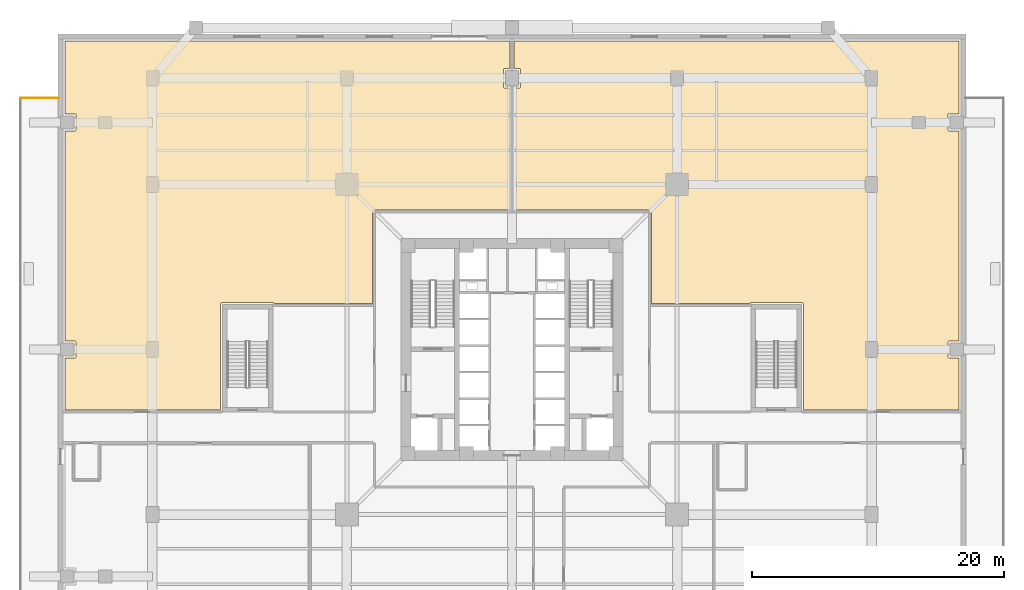
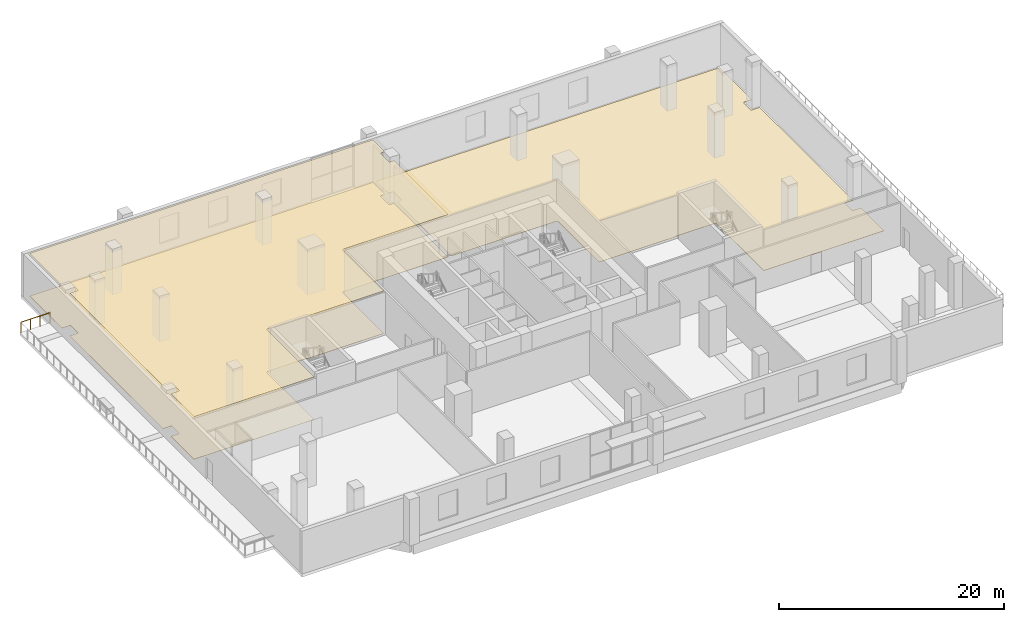
# One storey, part 14 of 15: 3 coverings, 1 railing.
"""IFC4 building model written with IfcOpenShell, lengths in metres."""

from ifc_helpers import new_model, si_unit, direction, frame, origin, origin_2d, place, context, subcontext, project, spatial, polyline, circle, outline, extrude, source, transform, mapped, material, layer, layer_set, type_object, element, save


model = new_model("IFC4")

# Units and contexts
model_context = context("Model", 3, precision=1e-05, world=origin(), true_north=direction((0.0, 1.0)))
body_context = subcontext(model_context, "Body", "Model", "MODEL_VIEW")
ifc_project = project(units=[si_unit("LENGTHUNIT", "METRE"), si_unit("AREAUNIT", "SQUARE_METRE"), si_unit("VOLUMEUNIT", "CUBIC_METRE"), si_unit("PLANEANGLEUNIT", "RADIAN"), si_unit("MASSUNIT", "GRAM", prefix="KILO"), si_unit("THERMODYNAMICTEMPERATUREUNIT", "KELVIN")], contexts=[model_context])

# Site, building, storey
site_placement = place(None, origin())
site = spatial("IfcSite", under=ifc_project, at=site_placement, CompositionType="ELEMENT")
building_placement = place(site_placement, origin())
building = spatial("IfcBuilding", under=site, at=building_placement, Name="Kosmvard Interchange Tower", CompositionType="ELEMENT")
storey_placement = place(building_placement, frame((0.0, 0.0, 11.0)))
storey = spatial("IfcBuildingStorey", under=building, at=storey_placement, Name="L02", CompositionType="ELEMENT", Elevation=11.0)

# Coverings
ifc_material_1 = material(Name="Acoustic gypsum ceiling tile")
ifc_layer_1 = layer(ifc_material_1, 0.02490234375, Name="Acoustic gypsum ceiling tile")
ifc_layer_set_1 = layer_set([ifc_layer_1], Name="Acoustic gypsum ceiling tile")
covering_type_1 = type_object("IfcCoveringType", Name="Acoustic Perforated Suspended Ceiling 25", PredefinedType="CEILING", material=ifc_layer_set_1)
covering_1_placement = place(storey_placement, frame((0.0, 0.0, 4.635009765625)))
element("IfcCovering", 1, at=covering_1_placement, inside=storey, type_object=covering_type_1, Name="L02 Acoustic Ceiling L02-RTLW", PredefinedType="CEILING", context=body_context, shape_type="SweptSolid", body=[
    extrude(outline(polyline([(-23.07470703125, 3.636474609375), (-23.071044921875, 3.642822265625), (-23.066650390625, 3.6494140625), (-23.062255859375, 3.6552734375), (-23.05712890625, 3.661376953125), (-23.05224609375, 3.666748046875), (-23.046875, 3.67236328125), (-23.041259765625, 3.67724609375), (-23.03515625, 3.68212890625), (-23.029296875, 3.6865234375), (-23.022705078125, 3.69091796875), (-23.016357421875, 3.69482421875), (-23.009521484375, 3.698486328125), (-23.0029296875, 3.70166015625), (-22.99560546875, 3.70458984375), (-22.98876953125, 3.70703125), (-22.981201171875, 3.70947265625), (-22.97412109375, 3.711181640625), (-22.96630859375, 3.712646484375), (-22.958984375, 3.7138671875), (-22.951171875, 3.714599609375), (-22.94384765625, 3.71484375), (-22.93994140625, 3.715087890625), (-18.9599609375, 3.715087890625), (-18.9560546875, 3.71484375), (-18.94873046875, 3.714599609375), (-18.94091796875, 3.7138671875), (-18.93359375, 3.712646484375), (-18.926025390625, 3.711181640625), (-18.918701171875, 3.70947265625), (-18.911376953125, 3.70703125), (-18.904296875, 3.70458984375), (-18.89697265625, 3.70166015625), (-18.890380859375, 3.698486328125), (-18.883544921875, 3.69482421875), (-18.877197265625, 3.69091796875), (-18.87060546875, 3.6865234375), (-18.86474609375, 3.68212890625), (-18.858642578125, 3.67724609375), (-18.853271484375, 3.67236328125), (-18.84765625, 3.666748046875), (-18.8427734375, 3.661376953125), (-18.841796875, 3.659912109375), (-11.054931640625, 3.659912109375), (-11.054931640625, 10.89990234375), (-11.054931640625, 10.90380859375), (-11.054443359375, 10.911376953125), (-11.0537109375, 10.919189453125), (-11.052734375, 10.92626953125), (-11.05126953125, 10.93408203125), (-11.04931640625, 10.941162109375), (-11.047119140625, 10.94873046875), (-11.044677734375, 10.95556640625), (-11.04150390625, 10.962890625), (-11.038330078125, 10.969482421875), (-11.034912109375, 10.976318359375), (-11.031005859375, 10.982666015625), (-11.026611328125, 10.9892578125), (-11.022216796875, 10.9951171875), (-11.01708984375, 11.00146484375), (-11.01220703125, 11.0068359375), (-11.0068359375, 11.01220703125), (-11.00146484375, 11.01708984375), (-10.9951171875, 11.022216796875), (-10.9892578125, 11.026611328125), (-10.982666015625, 11.031005859375), (-10.976318359375, 11.034912109375), (-10.969482421875, 11.038330078125), (-10.962890625, 11.04150390625), (-10.95556640625, 11.044677734375), (-10.94873046875, 11.047119140625), (-10.941162109375, 11.04931640625), (-10.93408203125, 11.05126953125), (-10.92626953125, 11.052734375), (-10.919189453125, 11.0537109375), (-10.911376953125, 11.054443359375), (-10.90380859375, 11.054931640625), (-10.89990234375, 11.054931640625), (-0.159912109375, 11.054931640625), (-0.159912109375, 20.715087890625), (-0.580078125, 20.715087890625), (-0.587890625, 20.71533203125), (-0.595703125, 20.716552734375), (-0.603271484375, 20.718505859375), (-0.610595703125, 20.72119140625), (-0.61767578125, 20.724365234375), (-0.62451171875, 20.728515625), (-0.630859375, 20.733154296875), (-0.636474609375, 20.738525390625), (-0.641845703125, 20.744140625), (-0.646484375, 20.75048828125), (-0.650634765625, 20.75732421875), (-0.65380859375, 20.764404296875), (-0.656494140625, 20.771728515625), (-0.658447265625, 20.779296875), (-0.65966796875, 20.787109375), (-0.659912109375, 20.794921875), (-0.659912109375, 22.205078125), (-0.65966796875, 22.212890625), (-0.658447265625, 22.220703125), (-0.656494140625, 22.228271484375), (-0.65380859375, 22.235595703125), (-0.650634765625, 22.24267578125), (-0.646484375, 22.24951171875), (-0.641845703125, 22.255859375), (-0.636474609375, 22.261474609375), (-0.630859375, 22.266845703125), (-0.62451171875, 22.271484375), (-0.61767578125, 22.275634765625), (-0.610595703125, 22.27880859375), (-0.603271484375, 22.281494140625), (-0.595703125, 22.283447265625), (-0.587890625, 22.28466796875), (-0.580078125, 22.284912109375), (-0.159912109375, 22.284912109375), (-0.159912109375, 24.445068359375), (-35.445068359375, 24.445068359375), (-35.445068359375, 18.68505859375), (-34.64501953125, 18.68505859375), (-34.63720703125, 18.6845703125), (-34.62939453125, 18.683349609375), (-34.621826171875, 18.681640625), (-34.614501953125, 18.678955078125), (-34.607177734375, 18.675537109375), (-34.6005859375, 18.671630859375), (-34.59423828125, 18.666748046875), (-34.58837890625, 18.66162109375), (-34.583251953125, 18.65576171875), (-34.578369140625, 18.6494140625), (-34.574462890625, 18.642822265625), (-34.571044921875, 18.635498046875), (-34.568359375, 18.628173828125), (-34.566650390625, 18.62060546875), (-34.5654296875, 18.61279296875), (-34.56494140625, 18.60498046875), (-34.56494140625, 17.39501953125), (-34.5654296875, 17.38720703125), (-34.566650390625, 17.37939453125), (-34.568359375, 17.371826171875), (-34.571044921875, 17.364501953125), (-34.574462890625, 17.357177734375), (-34.578369140625, 17.3505859375), (-34.583251953125, 17.34423828125), (-34.58837890625, 17.33837890625), (-34.59423828125, 17.333251953125), (-34.6005859375, 17.328369140625), (-34.607177734375, 17.324462890625), (-34.614501953125, 17.321044921875), (-34.621826171875, 17.318359375), (-34.62939453125, 17.316650390625), (-34.63720703125, 17.3154296875), (-34.64501953125, 17.31494140625), (-35.445068359375, 17.31494140625), (-35.445068359375, 0.68505859375), (-34.64501953125, 0.68505859375), (-34.63720703125, 0.6845703125), (-34.62939453125, 0.683349609375), (-34.621826171875, 0.681640625), (-34.614501953125, 0.678955078125), (-34.607177734375, 0.675537109375), (-34.6005859375, 0.671630859375), (-34.59423828125, 0.666748046875), (-34.58837890625, 0.66162109375), (-34.583251953125, 0.65576171875), (-34.578369140625, 0.6494140625), (-34.574462890625, 0.642822265625), (-34.571044921875, 0.635498046875), (-34.568359375, 0.628173828125), (-34.566650390625, 0.62060546875), (-34.5654296875, 0.61279296875), (-34.56494140625, 0.60498046875), (-34.56494140625, -0.60498046875), (-34.5654296875, -0.61279296875), (-34.566650390625, -0.62060546875), (-34.568359375, -0.628173828125), (-34.571044921875, -0.635498046875), (-34.574462890625, -0.642822265625), (-34.578369140625, -0.6494140625), (-34.583251953125, -0.65576171875), (-34.58837890625, -0.66162109375), (-34.59423828125, -0.666748046875), (-34.6005859375, -0.671630859375), (-34.607177734375, -0.675537109375), (-34.614501953125, -0.678955078125), (-34.621826171875, -0.681640625), (-34.62939453125, -0.683349609375), (-34.63720703125, -0.6845703125), (-34.64501953125, -0.68505859375), (-35.445068359375, -0.68505859375), (-35.445068359375, -4.804931640625), (-23.094970703125, -4.804931640625), (-23.094970703125, 3.56005859375), (-23.094970703125, 3.56396484375), (-23.094482421875, 3.5712890625), (-23.09375, 3.5791015625), (-23.0927734375, 3.58642578125), (-23.091064453125, 3.593994140625), (-23.08935546875, 3.601318359375), (-23.087158203125, 3.608642578125), (-23.084716796875, 3.61572265625), (-23.08154296875, 3.623046875), (-23.078369140625, 3.629638671875), (-23.07470703125, 3.636474609375)])), origin(), (0.0, 0.0, 1.0), 0.02490234375),
])
ifc_material_2 = material(Name="Polished terrazzo flooring")
ifc_layer_2 = layer(ifc_material_2, 0.030029296875, Name="Polished terrazzo flooring")
ifc_layer_set_2 = layer_set([ifc_layer_2], Name="Polished terrazzo flooring")
covering_type_2 = type_object("IfcCoveringType", Name="Heavy-Duty Terrazzo & Porcelain Flooring 30", PredefinedType="FLOORING", material=ifc_layer_set_2)
covering_2_placement = place(storey_placement, origin())
element("IfcCovering", 2, at=covering_2_placement, inside=storey, type_object=covering_type_2, Name="L02 Floor Finish L02-RTLW", PredefinedType="FLOORING", context=body_context, shape_type="SweptSolid", body=[
    extrude(outline(polyline([(-23.07470703125, 3.636474609375), (-23.071044921875, 3.642822265625), (-23.066650390625, 3.6494140625), (-23.062255859375, 3.6552734375), (-23.05712890625, 3.661376953125), (-23.05224609375, 3.666748046875), (-23.046875, 3.67236328125), (-23.041259765625, 3.67724609375), (-23.03515625, 3.68212890625), (-23.029296875, 3.6865234375), (-23.022705078125, 3.69091796875), (-23.016357421875, 3.69482421875), (-23.009521484375, 3.698486328125), (-23.0029296875, 3.70166015625), (-22.99560546875, 3.70458984375), (-22.98876953125, 3.70703125), (-22.981201171875, 3.70947265625), (-22.97412109375, 3.711181640625), (-22.96630859375, 3.712646484375), (-22.958984375, 3.7138671875), (-22.951171875, 3.714599609375), (-22.94384765625, 3.71484375), (-22.93994140625, 3.715087890625), (-18.9599609375, 3.715087890625), (-18.9560546875, 3.71484375), (-18.94873046875, 3.714599609375), (-18.94091796875, 3.7138671875), (-18.93359375, 3.712646484375), (-18.926025390625, 3.711181640625), (-18.918701171875, 3.70947265625), (-18.911376953125, 3.70703125), (-18.904296875, 3.70458984375), (-18.89697265625, 3.70166015625), (-18.890380859375, 3.698486328125), (-18.883544921875, 3.69482421875), (-18.877197265625, 3.69091796875), (-18.87060546875, 3.6865234375), (-18.86474609375, 3.68212890625), (-18.858642578125, 3.67724609375), (-18.853271484375, 3.67236328125), (-18.84765625, 3.666748046875), (-18.8427734375, 3.661376953125), (-18.841796875, 3.659912109375), (-11.054931640625, 3.659912109375), (-11.054931640625, 10.89990234375), (-11.054931640625, 10.90380859375), (-11.054443359375, 10.911376953125), (-11.0537109375, 10.919189453125), (-11.052734375, 10.92626953125), (-11.05126953125, 10.93408203125), (-11.04931640625, 10.941162109375), (-11.047119140625, 10.94873046875), (-11.044677734375, 10.95556640625), (-11.04150390625, 10.962890625), (-11.038330078125, 10.969482421875), (-11.034912109375, 10.976318359375), (-11.031005859375, 10.982666015625), (-11.026611328125, 10.9892578125), (-11.022216796875, 10.9951171875), (-11.01708984375, 11.00146484375), (-11.01220703125, 11.0068359375), (-11.0068359375, 11.01220703125), (-11.00146484375, 11.01708984375), (-10.9951171875, 11.022216796875), (-10.9892578125, 11.026611328125), (-10.982666015625, 11.031005859375), (-10.976318359375, 11.034912109375), (-10.969482421875, 11.038330078125), (-10.962890625, 11.04150390625), (-10.95556640625, 11.044677734375), (-10.94873046875, 11.047119140625), (-10.941162109375, 11.04931640625), (-10.93408203125, 11.05126953125), (-10.92626953125, 11.052734375), (-10.919189453125, 11.0537109375), (-10.911376953125, 11.054443359375), (-10.90380859375, 11.054931640625), (-10.89990234375, 11.054931640625), (-0.159912109375, 11.054931640625), (-0.159912109375, 20.715087890625), (-0.580078125, 20.715087890625), (-0.587890625, 20.71533203125), (-0.595703125, 20.716552734375), (-0.603271484375, 20.718505859375), (-0.610595703125, 20.72119140625), (-0.61767578125, 20.724365234375), (-0.62451171875, 20.728515625), (-0.630859375, 20.733154296875), (-0.636474609375, 20.738525390625), (-0.641845703125, 20.744140625), (-0.646484375, 20.75048828125), (-0.650634765625, 20.75732421875), (-0.65380859375, 20.764404296875), (-0.656494140625, 20.771728515625), (-0.658447265625, 20.779296875), (-0.65966796875, 20.787109375), (-0.659912109375, 20.794921875), (-0.659912109375, 22.205078125), (-0.65966796875, 22.212890625), (-0.658447265625, 22.220703125), (-0.656494140625, 22.228271484375), (-0.65380859375, 22.235595703125), (-0.650634765625, 22.24267578125), (-0.646484375, 22.24951171875), (-0.641845703125, 22.255859375), (-0.636474609375, 22.261474609375), (-0.630859375, 22.266845703125), (-0.62451171875, 22.271484375), (-0.61767578125, 22.275634765625), (-0.610595703125, 22.27880859375), (-0.603271484375, 22.281494140625), (-0.595703125, 22.283447265625), (-0.587890625, 22.28466796875), (-0.580078125, 22.284912109375), (-0.159912109375, 22.284912109375), (-0.159912109375, 24.445068359375), (-35.445068359375, 24.445068359375), (-35.445068359375, 18.68505859375), (-34.64501953125, 18.68505859375), (-34.63720703125, 18.6845703125), (-34.62939453125, 18.683349609375), (-34.621826171875, 18.681640625), (-34.614501953125, 18.678955078125), (-34.607177734375, 18.675537109375), (-34.6005859375, 18.671630859375), (-34.59423828125, 18.666748046875), (-34.58837890625, 18.66162109375), (-34.583251953125, 18.65576171875), (-34.578369140625, 18.6494140625), (-34.574462890625, 18.642822265625), (-34.571044921875, 18.635498046875), (-34.568359375, 18.628173828125), (-34.566650390625, 18.62060546875), (-34.5654296875, 18.61279296875), (-34.56494140625, 18.60498046875), (-34.56494140625, 17.39501953125), (-34.5654296875, 17.38720703125), (-34.566650390625, 17.37939453125), (-34.568359375, 17.371826171875), (-34.571044921875, 17.364501953125), (-34.574462890625, 17.357177734375), (-34.578369140625, 17.3505859375), (-34.583251953125, 17.34423828125), (-34.58837890625, 17.33837890625), (-34.59423828125, 17.333251953125), (-34.6005859375, 17.328369140625), (-34.607177734375, 17.324462890625), (-34.614501953125, 17.321044921875), (-34.621826171875, 17.318359375), (-34.62939453125, 17.316650390625), (-34.63720703125, 17.3154296875), (-34.64501953125, 17.31494140625), (-35.445068359375, 17.31494140625), (-35.445068359375, 0.68505859375), (-34.64501953125, 0.68505859375), (-34.63720703125, 0.6845703125), (-34.62939453125, 0.683349609375), (-34.621826171875, 0.681640625), (-34.614501953125, 0.678955078125), (-34.607177734375, 0.675537109375), (-34.6005859375, 0.671630859375), (-34.59423828125, 0.666748046875), (-34.58837890625, 0.66162109375), (-34.583251953125, 0.65576171875), (-34.578369140625, 0.6494140625), (-34.574462890625, 0.642822265625), (-34.571044921875, 0.635498046875), (-34.568359375, 0.628173828125), (-34.566650390625, 0.62060546875), (-34.5654296875, 0.61279296875), (-34.56494140625, 0.60498046875), (-34.56494140625, -0.60498046875), (-34.5654296875, -0.61279296875), (-34.566650390625, -0.62060546875), (-34.568359375, -0.628173828125), (-34.571044921875, -0.635498046875), (-34.574462890625, -0.642822265625), (-34.578369140625, -0.6494140625), (-34.583251953125, -0.65576171875), (-34.58837890625, -0.66162109375), (-34.59423828125, -0.666748046875), (-34.6005859375, -0.671630859375), (-34.607177734375, -0.675537109375), (-34.614501953125, -0.678955078125), (-34.621826171875, -0.681640625), (-34.62939453125, -0.683349609375), (-34.63720703125, -0.6845703125), (-34.64501953125, -0.68505859375), (-35.445068359375, -0.68505859375), (-35.445068359375, -4.804931640625), (-23.094970703125, -4.804931640625), (-23.094970703125, 3.56005859375), (-23.094970703125, 3.56396484375), (-23.094482421875, 3.5712890625), (-23.09375, 3.5791015625), (-23.0927734375, 3.58642578125), (-23.091064453125, 3.593994140625), (-23.08935546875, 3.601318359375), (-23.087158203125, 3.608642578125), (-23.084716796875, 3.61572265625), (-23.08154296875, 3.623046875), (-23.078369140625, 3.629638671875), (-23.07470703125, 3.636474609375)])), origin(), (0.0, 0.0, 1.0), 0.030029296875),
])
covering_3_placement = place(storey_placement, origin())
element("IfcCovering", 3, at=covering_3_placement, inside=storey, type_object=covering_type_2, Name="L02 Floor Finish L02-LNGP", PredefinedType="FLOORING", context=body_context, shape_type="SweptSolid", body=[
    extrude(outline(polyline([(18.841796875, 3.659912109375), (18.8427734375, 3.661376953125), (18.84765625, 3.666748046875), (18.853271484375, 3.67236328125), (18.858642578125, 3.67724609375), (18.86474609375, 3.68212890625), (18.87060546875, 3.6865234375), (18.877197265625, 3.69091796875), (18.883544921875, 3.69482421875), (18.890380859375, 3.698486328125), (18.89697265625, 3.70166015625), (18.904296875, 3.70458984375), (18.911376953125, 3.70703125), (18.918701171875, 3.70947265625), (18.926025390625, 3.711181640625), (18.93359375, 3.712646484375), (18.94091796875, 3.7138671875), (18.94873046875, 3.714599609375), (18.9560546875, 3.71484375), (18.9599609375, 3.715087890625), (22.93994140625, 3.715087890625), (22.94384765625, 3.71484375), (22.951171875, 3.714599609375), (22.958984375, 3.7138671875), (22.96630859375, 3.712646484375), (22.97412109375, 3.711181640625), (22.981201171875, 3.70947265625), (22.98876953125, 3.70703125), (22.99560546875, 3.70458984375), (23.0029296875, 3.70166015625), (23.009521484375, 3.698486328125), (23.016357421875, 3.69482421875), (23.022705078125, 3.69091796875), (23.029296875, 3.6865234375), (23.03515625, 3.68212890625), (23.041259765625, 3.67724609375), (23.046875, 3.67236328125), (23.05224609375, 3.666748046875), (23.05712890625, 3.661376953125), (23.062255859375, 3.6552734375), (23.066650390625, 3.6494140625), (23.071044921875, 3.642822265625), (23.07470703125, 3.636474609375), (23.078369140625, 3.629638671875), (23.08154296875, 3.623046875), (23.084716796875, 3.61572265625), (23.087158203125, 3.608642578125), (23.08935546875, 3.601318359375), (23.091064453125, 3.593994140625), (23.0927734375, 3.58642578125), (23.09375, 3.5791015625), (23.094482421875, 3.5712890625), (23.094970703125, 3.56396484375), (23.094970703125, 3.56005859375), (23.094970703125, -4.804931640625), (35.445068359375, -4.804931640625), (35.445068359375, -0.68505859375), (34.64501953125, -0.68505859375), (34.63720703125, -0.6845703125), (34.62939453125, -0.683349609375), (34.621826171875, -0.681640625), (34.614501953125, -0.678955078125), (34.607177734375, -0.675537109375), (34.6005859375, -0.671630859375), (34.59423828125, -0.666748046875), (34.58837890625, -0.66162109375), (34.583251953125, -0.65576171875), (34.578369140625, -0.6494140625), (34.574462890625, -0.642822265625), (34.571044921875, -0.635498046875), (34.568359375, -0.628173828125), (34.566650390625, -0.62060546875), (34.5654296875, -0.61279296875), (34.56494140625, -0.60498046875), (34.56494140625, 0.60498046875), (34.5654296875, 0.61279296875), (34.566650390625, 0.62060546875), (34.568359375, 0.628173828125), (34.571044921875, 0.635498046875), (34.574462890625, 0.642822265625), (34.578369140625, 0.6494140625), (34.583251953125, 0.65576171875), (34.58837890625, 0.66162109375), (34.59423828125, 0.666748046875), (34.6005859375, 0.671630859375), (34.607177734375, 0.675537109375), (34.614501953125, 0.678955078125), (34.621826171875, 0.681640625), (34.62939453125, 0.683349609375), (34.63720703125, 0.6845703125), (34.64501953125, 0.68505859375), (35.445068359375, 0.68505859375), (35.445068359375, 17.31494140625), (34.64501953125, 17.31494140625), (34.63720703125, 17.3154296875), (34.62939453125, 17.316650390625), (34.621826171875, 17.318359375), (34.614501953125, 17.321044921875), (34.607177734375, 17.324462890625), (34.6005859375, 17.328369140625), (34.59423828125, 17.333251953125), (34.58837890625, 17.33837890625), (34.583251953125, 17.34423828125), (34.578369140625, 17.3505859375), (34.574462890625, 17.357177734375), (34.571044921875, 17.364501953125), (34.568359375, 17.371826171875), (34.566650390625, 17.37939453125), (34.5654296875, 17.38720703125), (34.56494140625, 17.39501953125), (34.56494140625, 18.60498046875), (34.5654296875, 18.61279296875), (34.566650390625, 18.62060546875), (34.568359375, 18.628173828125), (34.571044921875, 18.635498046875), (34.574462890625, 18.642822265625), (34.578369140625, 18.6494140625), (34.583251953125, 18.65576171875), (34.58837890625, 18.66162109375), (34.59423828125, 18.666748046875), (34.6005859375, 18.671630859375), (34.607177734375, 18.675537109375), (34.614501953125, 18.678955078125), (34.621826171875, 18.681640625), (34.62939453125, 18.683349609375), (34.63720703125, 18.6845703125), (34.64501953125, 18.68505859375), (35.445068359375, 18.68505859375), (35.445068359375, 24.445068359375), (0.159912109375, 24.445068359375), (0.159912109375, 22.284912109375), (0.580078125, 22.284912109375), (0.587890625, 22.28466796875), (0.595703125, 22.283447265625), (0.603271484375, 22.281494140625), (0.610595703125, 22.27880859375), (0.61767578125, 22.275634765625), (0.62451171875, 22.271484375), (0.630859375, 22.266845703125), (0.636474609375, 22.261474609375), (0.641845703125, 22.255859375), (0.646484375, 22.24951171875), (0.650634765625, 22.24267578125), (0.65380859375, 22.235595703125), (0.656494140625, 22.228271484375), (0.658447265625, 22.220703125), (0.65966796875, 22.212890625), (0.659912109375, 22.205078125), (0.659912109375, 20.794921875), (0.65966796875, 20.787109375), (0.658447265625, 20.779296875), (0.656494140625, 20.771728515625), (0.65380859375, 20.764404296875), (0.650634765625, 20.75732421875), (0.646484375, 20.75048828125), (0.641845703125, 20.744140625), (0.636474609375, 20.738525390625), (0.630859375, 20.733154296875), (0.62451171875, 20.728515625), (0.61767578125, 20.724365234375), (0.610595703125, 20.72119140625), (0.603271484375, 20.718505859375), (0.595703125, 20.716552734375), (0.587890625, 20.71533203125), (0.580078125, 20.715087890625), (0.159912109375, 20.715087890625), (0.159912109375, 11.054931640625), (10.89990234375, 11.054931640625), (10.90380859375, 11.054931640625), (10.911376953125, 11.054443359375), (10.919189453125, 11.0537109375), (10.92626953125, 11.052734375), (10.93408203125, 11.05126953125), (10.941162109375, 11.04931640625), (10.94873046875, 11.047119140625), (10.95556640625, 11.044677734375), (10.962890625, 11.04150390625), (10.969482421875, 11.038330078125), (10.976318359375, 11.034912109375), (10.982666015625, 11.031005859375), (10.9892578125, 11.026611328125), (10.9951171875, 11.022216796875), (11.00146484375, 11.01708984375), (11.0068359375, 11.01220703125), (11.01220703125, 11.0068359375), (11.01708984375, 11.00146484375), (11.022216796875, 10.9951171875), (11.026611328125, 10.9892578125), (11.031005859375, 10.982666015625), (11.034912109375, 10.976318359375), (11.038330078125, 10.969482421875), (11.04150390625, 10.962890625), (11.044677734375, 10.95556640625), (11.047119140625, 10.94873046875), (11.04931640625, 10.941162109375), (11.05126953125, 10.93408203125), (11.052734375, 10.92626953125), (11.0537109375, 10.919189453125), (11.054443359375, 10.911376953125), (11.054931640625, 10.90380859375), (11.054931640625, 10.89990234375), (11.054931640625, 3.659912109375), (18.841796875, 3.659912109375)])), origin(), (0.0, 0.0, 1.0), 0.030029296875),
])

# Railing
ifc_material_3 = material(Name="Steel S355", Category="steel")
railing_type = type_object("IfcRailingType", Name="Observation & Balcony Glass-Infill Balustrade 1150", PredefinedType="BALUSTRADE", material=ifc_material_3)
shared_shape = source(origin(), body_context, "Body", "SweptSolid", [
    extrude(circle(Radius=0.02392578125, at=origin_2d()), frame((0.0, 0.0, 1.1259765625), z_axis=(1.0, 0.0, 0.0), x_axis=(0.0, 1.0, 0.0)), (0.0, 0.0, 1.0), 3.0),
    extrude(circle(Radius=0.02099609375, at=origin_2d()), origin(), (0.0, 0.0, 1.0), 1.101806640625),
    extrude(circle(Radius=0.02099609375, at=origin_2d()), frame((1.0, 0.0, 0.0)), (0.0, 0.0, 1.0), 1.101806640625),
    extrude(circle(Radius=0.02099609375, at=origin_2d()), frame((2.0, 0.0, 0.0)), (0.0, 0.0, 1.0), 1.101806640625),
    extrude(circle(Radius=0.02099609375, at=origin_2d()), frame((3.0, 0.0, 0.0)), (0.0, 0.0, 1.0), 1.101806640625),
])
railing_placement = place(storey_placement, frame((-38.949951171875, 19.949951171875, 0.0)))
element("IfcRailing", 4, at=railing_placement, inside=storey, type_object=railing_type, Name="L02 Outdoor Terrace Guard TER-L02-W-C", PredefinedType="BALUSTRADE", context=body_context, shape_type="MappedRepresentation", body=[
    mapped(shared_shape, transform((0.0, 0.0, 0.0), scale=1.0)),
])

save(model, "model.ifc")
